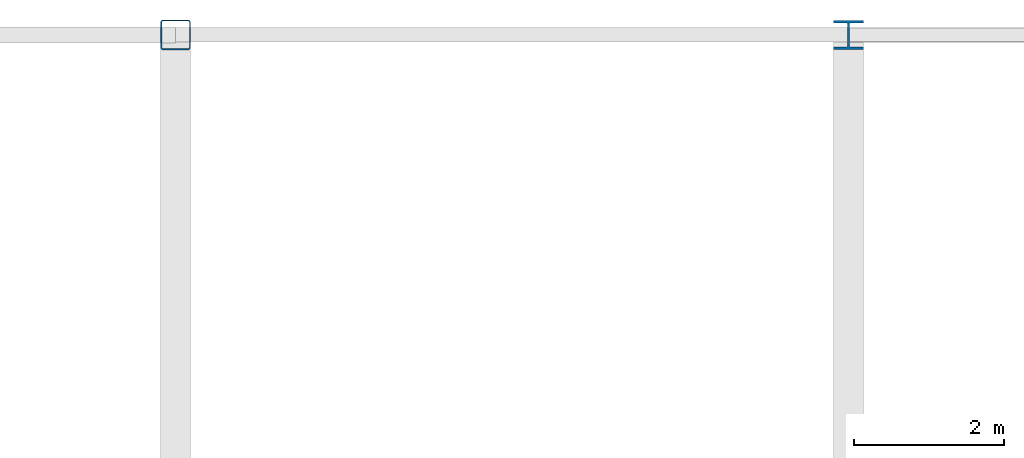
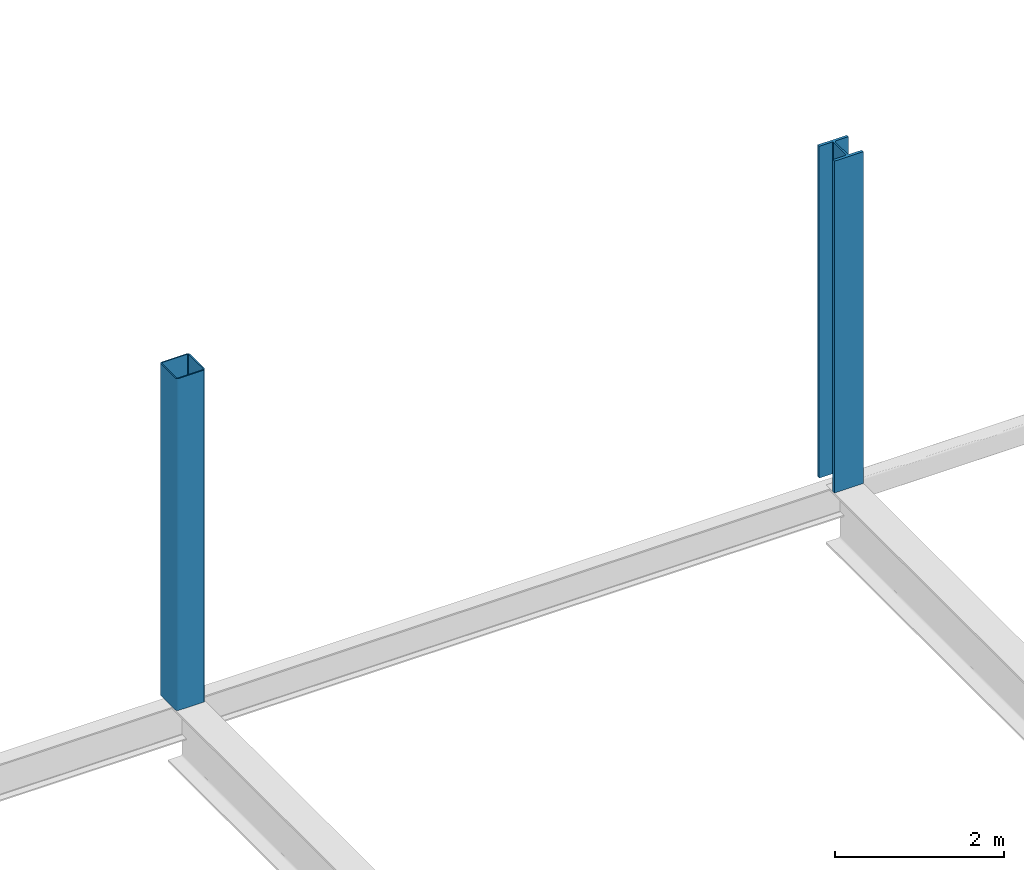
# One storey, part 17 of 224: 2 columns.
"""IFC4 building model written with IfcOpenShell, lengths in metres."""

from ifc_helpers import new_model, si_unit, direction, frame, origin, origin_2d, place, context, subcontext, project, spatial, hollow_rectangle, i_section, extrude, material, material_profile, profile_set, type_object, element, save


model = new_model("IFC4")

# Units and contexts
model_context = context("Model", 3, precision=1e-05, world=origin(), true_north=direction((0.0, 1.0)))
body_context = subcontext(model_context, "Body", "Model", "MODEL_VIEW")
ifc_project = project(units=[si_unit("LENGTHUNIT", "METRE"), si_unit("AREAUNIT", "SQUARE_METRE"), si_unit("VOLUMEUNIT", "CUBIC_METRE"), si_unit("PLANEANGLEUNIT", "RADIAN"), si_unit("MASSUNIT", "GRAM", prefix="KILO")], contexts=[model_context])

# Site, building, storey
site_placement = place(None, origin())
site = spatial("IfcSite", under=ifc_project, at=site_placement, CompositionType="ELEMENT")
building_placement = place(site_placement, origin())
building = spatial("IfcBuilding", under=site, at=building_placement, Name="Qamarlyn Nura Convention Centre", CompositionType="ELEMENT")
storey_placement = place(building_placement, frame((0.0, 0.0, 10.800048828125)))
storey = spatial("IfcBuildingStorey", under=building, at=storey_placement, Name="L02", CompositionType="ELEMENT", Elevation=10.800048828125)

# Columns
ifc_material_1 = material(Name="Steel ASTM A500 Grade C", Category="steel")
ifc_material_profile_1 = material_profile(ifc_material_1, hollow_rectangle(XDim=0.39990234375, YDim=0.39990234375, WallThickness=0.01611328125, InnerFilletRadius=0.01611328125, OuterFilletRadius=0.031982421875, at=origin_2d()), Name="HSS400X400X16")
ifc_profile_set_1 = profile_set([ifc_material_profile_1], Name="Steel ASTM A500 Grade C")
column_type_1 = type_object("IfcColumnType", Name="COL-HSS-1", PredefinedType="COLUMN", material=ifc_profile_set_1)
column_1_placement = place(storey_placement, frame((162.0, 126.0, 0.0), z_axis=(0.0, 0.0, 1.0), x_axis=(1.0, 0.0, 0.0)))
element("IfcColumn", 1, at=column_1_placement, inside=storey, type_object=column_type_1, Name="L02 column 14/Q", PredefinedType="COLUMN", context=body_context, shape_type="SweptSolid", body=[
    extrude(hollow_rectangle(XDim=0.39990234375, YDim=0.39990234375, WallThickness=0.01611328125, InnerFilletRadius=0.01611328125, OuterFilletRadius=0.031982421875, at=origin_2d()), origin(), (0.0, 0.0, 1.0), 4.800048828125),
])
ifc_material_2 = material(Name="Steel ASTM A992", Category="steel")
ifc_material_profile_2 = material_profile(ifc_material_2, i_section(OverallWidth=0.39892578125, OverallDepth=0.39306640625, WebThickness=0.022705078125, FlangeThickness=0.03662109375, FilletRadius=0.01806640625, at=origin_2d()), Name="W360X287")
ifc_profile_set_2 = profile_set([ifc_material_profile_2], Name="Steel ASTM A992")
column_type_2 = type_object("IfcColumnType", Name="COL-WING-1", PredefinedType="COLUMN", material=ifc_profile_set_2)
column_2_placement = place(storey_placement, frame((171.0, 126.0, 0.0), z_axis=(0.0, 0.0, 1.0), x_axis=(1.0, 0.0, 0.0)))
element("IfcColumn", 2, at=column_2_placement, inside=storey, type_object=column_type_2, Name="L02 column 15/Q", PredefinedType="COLUMN", context=body_context, shape_type="SweptSolid", body=[
    extrude(i_section(OverallWidth=0.39892578125, OverallDepth=0.39306640625, WebThickness=0.022705078125, FlangeThickness=0.03662109375, FilletRadius=0.01806640625, at=origin_2d()), origin(), (0.0, 0.0, 1.0), 4.800048828125),
])

save(model, "model.ifc")
